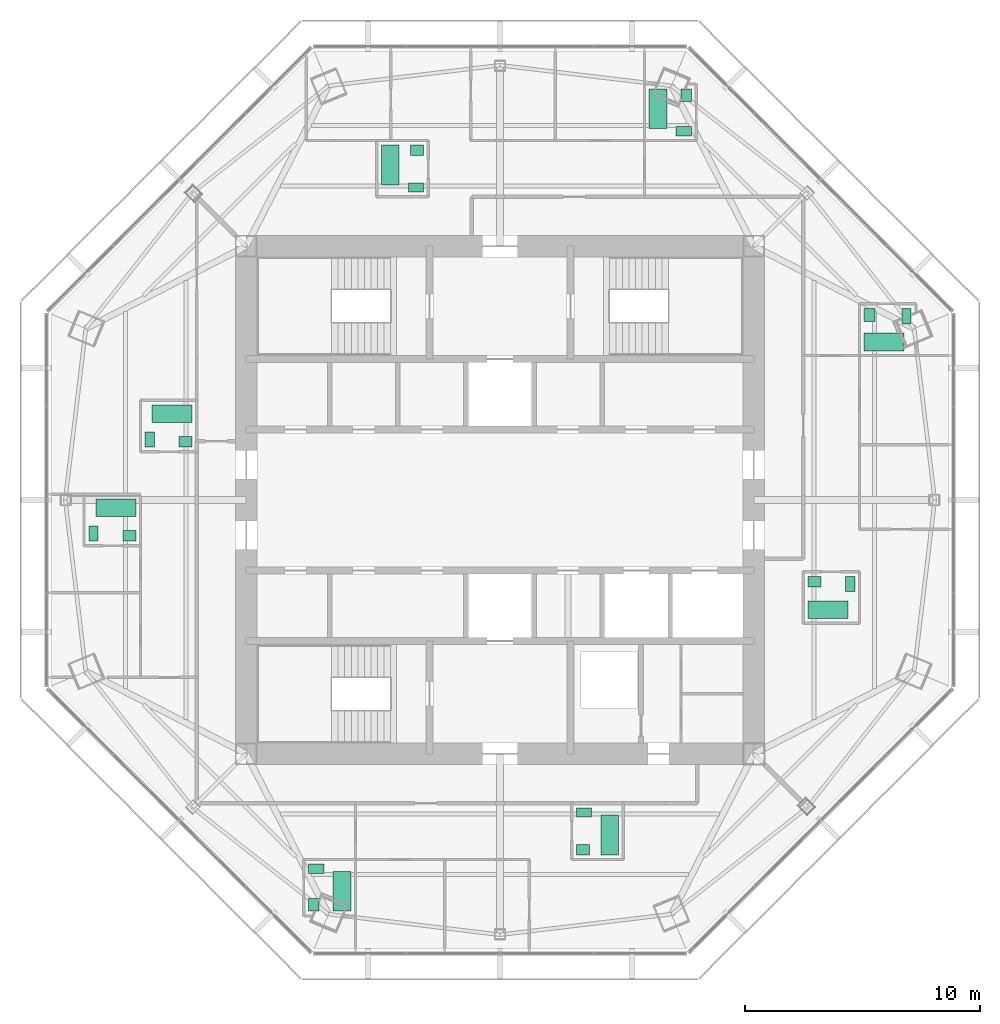
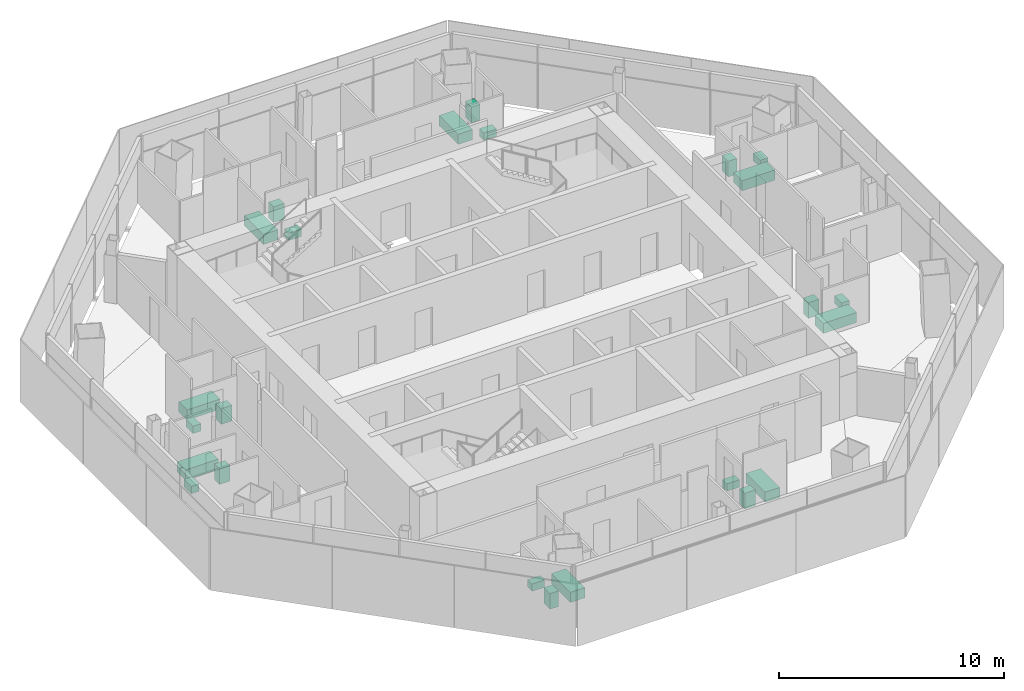
# One storey, part 15 of 15: 24 sanitary terminals.
"""IFC4 building model written with IfcOpenShell, lengths in metres."""

import ifcopenshell
import ifcopenshell.guid

model = None  # the IFC model being written
_history = None  # IfcOwnerHistory: only IFC2X3 demands one
_inside = {}  # id of a spatial element -> (the spatial element, [elements in it])
_under = {}  # id of a project, library or spatial element -> (it, [spatial elements below it])
_declared = {}  # id of a project -> (the project, [libraries it declares])
_typed = {}  # id of a type object -> (the type object, [elements of that type])
_made_of = {}  # id of a material, layer set ... -> (it, [elements and type objects made of it])


def new_model(schema):
    """Start an empty IFC model of exactly this schema.

    Asked for "IFC4X3", IfcOpenShell would pick the latest addendum, in which some entities
    have other attributes; the version numbers below select the first issue.
    IFC2X3 requires an IfcOwnerHistory on every rooted entity: one is made here for all.
    """
    global model, _history
    if schema == "IFC4X3":
        model = ifcopenshell.file(schema_version=(4, 3, 0, 0))
    else:
        model = ifcopenshell.file(schema=schema)
    _inside.clear()
    _under.clear()
    _declared.clear()
    _typed.clear()
    _made_of.clear()
    _history = None
    if model.schema == "IFC2X3":
        org = make("IfcOrganization", Name="unknown")
        user = make(
            "IfcPersonAndOrganization",
            ThePerson=make("IfcPerson", FamilyName="unknown"),
            TheOrganization=org,
        )
        app = make(
            "IfcApplication",
            ApplicationDeveloper=org,
            Version="unknown",
            ApplicationFullName="unknown",
            ApplicationIdentifier="unknown",
        )
        _history = make(
            "IfcOwnerHistory",
            OwningUser=user,
            OwningApplication=app,
            ChangeAction="ADDED",
            CreationDate=0,
        )
    return model


def make(cls, **values):
    """One entity of the class cls with the attributes given. An attribute that is None is left unset."""
    return model.create_entity(
        cls, **{name: value for name, value in values.items() if value is not None}
    )


def rooted(cls, **values):
    """An entity with a GlobalId (a new one), such as an element, a storey or a relation."""
    return make(cls, GlobalId=ifcopenshell.guid.new(), OwnerHistory=_history, **values)


def si_unit(unit_type, name, prefix=None):
    """IfcSIUnit, for example si_unit("LENGTHUNIT", "METRE", prefix="MILLI")."""
    return make("IfcSIUnit", UnitType=unit_type, Prefix=prefix, Name=name)


def assignment(units):
    """IfcUnitAssignment: the units of a project."""
    return None if units is None else make("IfcUnitAssignment", Units=units)


def point(xyz):
    """IfcCartesianPoint."""
    return None if xyz is None else make("IfcCartesianPoint", Coordinates=xyz)


def direction(xyz):
    """IfcDirection."""
    return None if xyz is None else make("IfcDirection", DirectionRatios=xyz)


def frame(location, z_axis=None, x_axis=None):
    """IfcAxis2Placement3D, a coordinate frame: its origin and axes. An axis left out is left unset."""
    return make(
        "IfcAxis2Placement3D",
        Location=point(location),
        Axis=direction(z_axis),
        RefDirection=direction(x_axis),
    )


def frame_2d(location, x_axis=None):
    """IfcAxis2Placement2D, a coordinate frame in the plane: its origin and x axis."""
    return make(
        "IfcAxis2Placement2D", Location=point(location), RefDirection=direction(x_axis)
    )


def origin():
    """The frame at (0, 0, 0) with its axes left unset."""
    return frame((0.0, 0.0, 0.0))


def origin_2d():
    """The frame at (0, 0) in the plane with its x axis left unset."""
    return frame_2d((0.0, 0.0))


def place(relative_to, where):
    """IfcLocalPlacement: puts the frame where relative to a parent placement (None: the world)."""
    return make(
        "IfcLocalPlacement", PlacementRelTo=relative_to, RelativePlacement=where
    )


def context(
    kind, dimensions, precision=None, world=None, true_north=None, identifier=None
):
    """IfcGeometricRepresentationContext, for example the 3D "Model" context."""
    return make(
        "IfcGeometricRepresentationContext",
        ContextIdentifier=identifier,
        ContextType=kind,
        CoordinateSpaceDimension=dimensions,
        Precision=precision,
        WorldCoordinateSystem=world,
        TrueNorth=true_north,
    )


def subcontext(parent, identifier, kind, view, scale=None):
    """IfcGeometricRepresentationSubContext, for example "Body" below "Model"."""
    return make(
        "IfcGeometricRepresentationSubContext",
        ContextIdentifier=identifier,
        ContextType=kind,
        ParentContext=parent,
        TargetScale=scale,
        TargetView=view,
    )


def project(units=None, contexts=None):
    """IfcProject with its units and contexts."""
    return rooted(
        "IfcProject",
        Name="project",
        RepresentationContexts=contexts,
        UnitsInContext=assignment(units),
    )


def spatial(cls, under=None, at=None, **own):
    """A site, building, storey or space (cls), placed at a placement, below another one or the project."""
    s = rooted(cls, ObjectPlacement=at, **own)
    if under is not None:
        _under.setdefault(under.id(), (under, []))[1].append(s)
    return s


def profile(cls, at=None, kind="AREA", **sizes):
    """A parametric profile (cls). Its sizes go by their IFC names, for example OverallWidth=200.0."""
    return make(cls, ProfileType=kind, Position=at, **sizes)


def rectangle(**sizes):
    """IfcRectangleProfileDef."""
    return profile("IfcRectangleProfileDef", **sizes)


def extrude(swept, where, along, depth):
    """IfcExtrudedAreaSolid: the profile swept, set in the frame where, extruded along a direction by depth."""
    return make(
        "IfcExtrudedAreaSolid",
        SweptArea=swept,
        Position=where,
        ExtrudedDirection=direction(along),
        Depth=depth,
    )


def shape(context_of_items, identifier, shape_type, items):
    """IfcShapeRepresentation: the items that make up one representation, for example the "Body"."""
    return make(
        "IfcShapeRepresentation",
        ContextOfItems=context_of_items,
        RepresentationIdentifier=identifier,
        RepresentationType=shape_type,
        Items=items,
    )


def material(Name=None, Category=None):
    """IfcMaterial."""
    return make("IfcMaterial", Name=Name, Category=Category)


def made_of(thing, what):
    """Note that an element or type object is made of a material, layer set ...; save() writes the relation."""
    if what is not None:
        _made_of.setdefault(what.id(), (what, []))[1].append(thing)
    return thing


def type_object(cls, material=None, **own):
    """A type object (cls), such as IfcWallType, which elements share."""
    return made_of(rooted(cls, **own), material)


def element(
    cls,
    number,
    at=None,
    inside=None,
    cuts=None,
    type_object=None,
    material=None,
    context=None,
    identifier="Body",
    shape_type=None,
    held_by="IfcProductDefinitionShape",
    body=None,
    shapes=None,
    **own,
):
    """One element of the class cls, such as IfcWall. Its Tag is "e" and its number.

    at: its placement. inside: the storey or other place that contains it. cuts: it is an
    opening in that element (IfcRelVoidsElement). A single representation is given by context,
    identifier, shape_type and body (its items); several are given by shapes. held_by: the class
    of the entity that holds the representations. save() writes the other relations.
    """
    e = rooted(cls, Tag="e%d" % number, ObjectPlacement=at, **own)
    if body is not None:
        shapes = [shape(context, identifier, shape_type, body)]
    if shapes is not None:
        e.Representation = make(held_by, Representations=shapes)
    if inside is not None:
        _inside.setdefault(inside.id(), (inside, []))[1].append(e)
    if cuts is not None:
        rooted(
            "IfcRelVoidsElement", RelatingBuildingElement=cuts, RelatedOpeningElement=e
        )
    if type_object is not None:
        _typed.setdefault(type_object.id(), (type_object, []))[1].append(e)
    return made_of(e, material)


def aggregate(whole, parts):
    """IfcRelAggregates: a whole, such as a stair, and the parts it consists of."""
    return rooted("IfcRelAggregates", RelatingObject=whole, RelatedObjects=parts)


def save(model, path):
    """Write the relations noted so far, then the file.

    IfcRelAggregates (storeys below a building ...), IfcRelContainedInSpatialStructure (elements
    in a storey), IfcRelDefinesByType, IfcRelAssociatesMaterial and IfcRelDeclares: one each for
    every whole, place, type object, material and project.
    """
    for whole, parts in _under.values():
        aggregate(whole, parts)
    for where, things in _inside.values():
        rooted(
            "IfcRelContainedInSpatialStructure",
            RelatedElements=things,
            RelatingStructure=where,
        )
    for kind, things in _typed.values():
        rooted("IfcRelDefinesByType", RelatedObjects=things, RelatingType=kind)
    for what, things in _made_of.values():
        rooted("IfcRelAssociatesMaterial", RelatedObjects=things, RelatingMaterial=what)
    for by, libraries in _declared.values():
        rooted("IfcRelDeclares", RelatingContext=by, RelatedDefinitions=libraries)
    model.write(path)


model = new_model("IFC4")

# Units and contexts
model_context = context("Model", 3, precision=1e-05, world=origin(), true_north=direction((0.0, 1.0)))
body_context = subcontext(model_context, "Body", "Model", "MODEL_VIEW")
ifc_project = project(units=[si_unit("LENGTHUNIT", "METRE"), si_unit("AREAUNIT", "SQUARE_METRE"), si_unit("VOLUMEUNIT", "CUBIC_METRE"), si_unit("PLANEANGLEUNIT", "RADIAN"), si_unit("MASSUNIT", "GRAM", prefix="KILO")], contexts=[model_context])

# Site, building, storey
site_placement = place(None, origin())
site = spatial("IfcSite", under=ifc_project, at=site_placement, CompositionType="ELEMENT")
building_placement = place(site_placement, origin())
building = spatial("IfcBuilding", under=site, at=building_placement, Name="Mashrafa Tower", CompositionType="ELEMENT")
storey_placement = place(building_placement, frame((0.0, 0.0, 308.199951171875)))
storey = spatial("IfcBuildingStorey", under=building, at=storey_placement, Name="L76", CompositionType="ELEMENT", Elevation=308.199951171875)

# Sanitary terminals
ifc_material_1 = material(Name="Enamelled steel", Category="steel")
sanitary_terminal_type_1 = type_object("IfcSanitaryTerminalType", Name="Bath 1700 x 750", PredefinedType="BATH", material=ifc_material_1)
for number, where, z_axis, x_axis, name in (
    (1, (13.949951171875, -4.675048828125, 0.0), (0.0, 0.0, 1.0), (1.0, 0.0, 0.0), "Bath Apartment 7601 Bathroom"),
    (2, (16.35009765625, 6.72509765625, 0.0), (0.0, 0.0, 1.0), (1.0, 0.0, 0.0), "Bath Apartment 7601 En-suite Bathroom"),
    (3, (-4.675048828125, 14.25, 0.0), (0.0, 0.0, 1.0), (0.0, -1.0, 0.0), "Bath Apartment 7602 Bathroom"),
    (4, (6.72509765625, 16.64990234375, 0.0), (0.0, 0.0, 1.0), (0.0, -1.0, 0.0), "Bath Apartment 7602 En-suite Bathroom"),
    (5, (-13.949951171875, 3.675048828125, 0.0), (0.0, 0.0, 1.0), (-1.0, 0.0, 0.0), "Bath Apartment 7603 Bathroom"),
    (6, (-16.35009765625, -0.324951171875, 0.0), (0.0, 0.0, 1.0), (-1.0, 0.0, 0.0), "Bath Apartment 7603 En-suite Bathroom"),
    (7, (4.675048828125, -14.25, 0.0), (0.0, 0.0, 1.0), (0.0, 1.0, 0.0), "Bath Apartment 7604 Bathroom"),
    (8, (-6.72509765625, -16.64990234375, 0.0), (0.0, 0.0, 1.0), (0.0, 1.0, 0.0), "Bath Apartment 7604 En-suite Bathroom"),
):
    element("IfcSanitaryTerminal", number, at=place(storey_placement, frame(where, z_axis=z_axis, x_axis=x_axis)), inside=storey, type_object=sanitary_terminal_type_1, Name=name, PredefinedType="BATH", context=body_context, shape_type="SweptSolid", body=[
        extrude(rectangle(XDim=1.699951171875, YDim=0.75, at=origin_2d()), origin(), (0.0, 0.0, 1.0), 0.550048828125),
    ])
ifc_material_2 = material(Name="Vitreous china")
sanitary_terminal_type_2 = type_object("IfcSanitaryTerminalType", Name="Toilet pan 400 x 650", PredefinedType="TOILETPAN", material=ifc_material_2)
for number, where, z_axis, x_axis, name in (
    (9, (14.89990234375, -3.574951171875, 0.0), (0.0, 0.0, 1.0), (-1.0, 0.0, 0.0), "Toilet pan Apartment 7601 Bathroom"),
    (10, (17.300048828125, 7.824951171875, 0.0), (0.0, 0.0, 1.0), (-1.0, 0.0, 0.0), "Toilet pan Apartment 7601 En-suite Bathroom"),
    (11, (-3.574951171875, 13.300048828125, 0.0), (0.0, 0.0, 1.0), (0.0, 1.0, 0.0), "Toilet pan Apartment 7602 Bathroom"),
    (12, (7.824951171875, 15.699951171875, 0.0), (0.0, 0.0, 1.0), (0.0, 1.0, 0.0), "Toilet pan Apartment 7602 En-suite Bathroom"),
    (13, (-14.89990234375, 2.574951171875, 0.0), (0.0, 0.0, 1.0), (1.0, 0.0, 0.0), "Toilet pan Apartment 7603 Bathroom"),
    (14, (-17.300048828125, -1.425048828125, 0.0), (0.0, 0.0, 1.0), (1.0, 0.0, 0.0), "Toilet pan Apartment 7603 En-suite Bathroom"),
    (15, (3.574951171875, -13.300048828125, 0.0), (0.0, 0.0, 1.0), (0.0, -1.0, 0.0), "Toilet pan Apartment 7604 Bathroom"),
    (16, (-7.824951171875, -15.699951171875, 0.0), (0.0, 0.0, 1.0), (0.0, -1.0, 0.0), "Toilet pan Apartment 7604 En-suite Bathroom"),
):
    element("IfcSanitaryTerminal", number, at=place(storey_placement, frame(where, z_axis=z_axis, x_axis=x_axis)), inside=storey, type_object=sanitary_terminal_type_2, Name=name, PredefinedType="TOILETPAN", context=body_context, shape_type="SweptSolid", body=[
        extrude(rectangle(XDim=0.39990234375, YDim=0.64990234375, at=origin_2d()), origin(), (0.0, 0.0, 1.0), 0.39990234375),
    ])
ifc_material_3 = material(Name="Vitreous china")
sanitary_terminal_type_3 = type_object("IfcSanitaryTerminalType", Name="Wash basin 550 x 450", PredefinedType="WASHHANDBASIN", material=ifc_material_3)
for number, where, z_axis, x_axis, name in (
    (17, (13.375, -3.47509765625, 0.0), (0.0, 0.0, 1.0), (-1.0, 0.0, 0.0), "Wash basin Apartment 7601 Bathroom"),
    (18, (15.72509765625, 7.875, 0.0), (0.0, 0.0, 1.0), (0.0, -1.0, 0.0), "Wash basin Apartment 7601 En-suite Bathroom"),
    (19, (-3.52490234375, 14.875, 0.0), (0.0, 0.0, 1.0), (-1.0, 0.0, 0.0), "Wash basin Apartment 7602 Bathroom"),
    (20, (7.925048828125, 17.22509765625, 0.0), (0.0, 0.0, 1.0), (0.0, 1.0, 0.0), "Wash basin Apartment 7602 En-suite Bathroom"),
    (21, (-13.375, 2.47509765625, 0.0), (0.0, 0.0, 1.0), (1.0, 0.0, 0.0), "Wash basin Apartment 7603 Bathroom"),
    (22, (-15.77490234375, -1.52490234375, 0.0), (0.0, 0.0, 1.0), (1.0, 0.0, 0.0), "Wash basin Apartment 7603 En-suite Bathroom"),
    (23, (3.52490234375, -14.875, 0.0), (0.0, 0.0, 1.0), (1.0, 0.0, 0.0), "Wash basin Apartment 7604 Bathroom"),
    (24, (-7.925048828125, -17.22509765625, 0.0), (0.0, 0.0, 1.0), (0.0, -1.0, 0.0), "Wash basin Apartment 7604 En-suite Bathroom"),
):
    element("IfcSanitaryTerminal", number, at=place(storey_placement, frame(where, z_axis=z_axis, x_axis=x_axis)), inside=storey, type_object=sanitary_terminal_type_3, Name=name, PredefinedType="WASHHANDBASIN", context=body_context, shape_type="SweptSolid", body=[
        extrude(rectangle(XDim=0.550048828125, YDim=0.449951171875, at=origin_2d()), origin(), (0.0, 0.0, 1.0), 0.85009765625),
    ])

save(model, "model.ifc")
